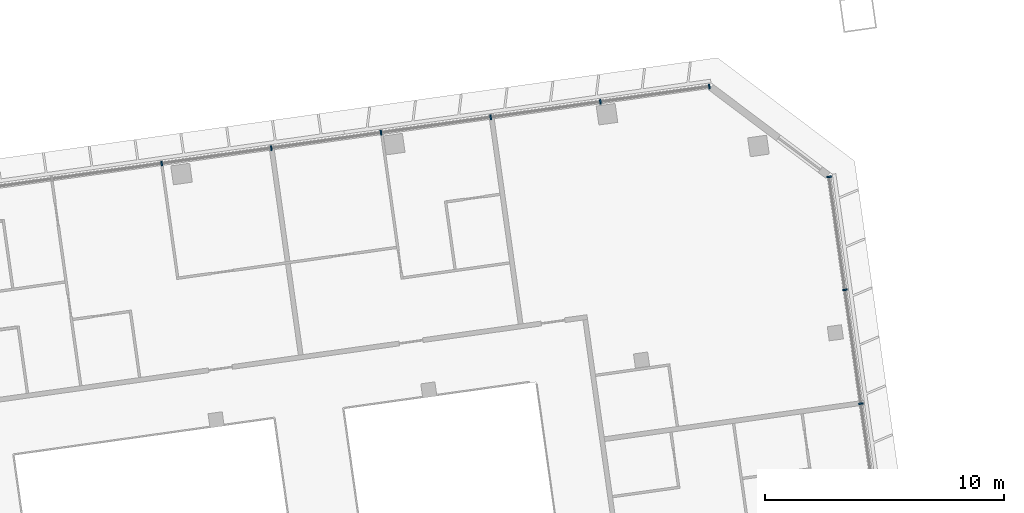
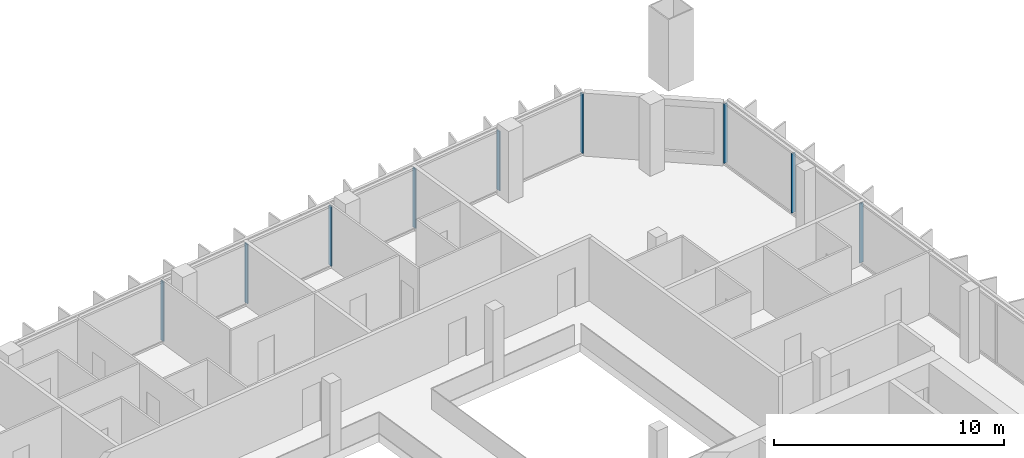
# One storey, part 11 of 23: 9 members, 2 elements without a shape of their own.
"""IFC4 building model written with IfcOpenShell, lengths in metres."""

from ifc_helpers import new_model, si_unit, direction, frame, origin, origin_2d, place, context, subcontext, project, spatial, rectangle, extrude, material, material_profile, profile_set, type_object, element, aggregate, save


model = new_model("IFC4")

# Units and contexts
model_context = context("Model", 3, precision=1e-05, world=origin(), true_north=direction((0.0, 1.0)))
body_context = subcontext(model_context, "Body", "Model", "MODEL_VIEW")
ifc_project = project(units=[si_unit("LENGTHUNIT", "METRE"), si_unit("AREAUNIT", "SQUARE_METRE"), si_unit("VOLUMEUNIT", "CUBIC_METRE"), si_unit("PLANEANGLEUNIT", "RADIAN"), si_unit("MASSUNIT", "GRAM", prefix="KILO")], contexts=[model_context])

# Site, building, storey
site_placement = place(None, origin())
site = spatial("IfcSite", under=ifc_project, at=site_placement, CompositionType="ELEMENT")
building_placement = place(site_placement, origin())
building = spatial("IfcBuilding", under=site, at=building_placement, Name="Mirante Cascada Hotel Towers", CompositionType="ELEMENT")
storey_placement = place(building_placement, frame((0.0, 0.0, 187.8)))
storey = spatial("IfcBuildingStorey", under=building, at=storey_placement, Name="L44", CompositionType="ELEMENT", Elevation=187.8)

# Curtain wall, members
ifc_material_1 = material(Name="Aluminium mullion and transom frame with clear laminated glass", Category="aluminium")
curtain_wall_type_1 = type_object("IfcCurtainWallType", Name="Ribbon curtain wall ECW1", PredefinedType="NOTDEFINED", material=ifc_material_1)
curtain_wall_1_placement = place(storey_placement, origin())
curtain_wall_1 = element("IfcCurtainWall", 1, at=curtain_wall_1_placement, inside=storey, type_object=curtain_wall_type_1, Name="Front ribbon wall T2 L44", PredefinedType="NOTDEFINED")
ifc_material_2 = material(Name="Anodised aluminium extrusion", Category="aluminium")
ifc_material_profile_1 = material_profile(ifc_material_2, rectangle(XDim=0.2, YDim=0.065, at=origin_2d()), Name="ECW1 MULLION 65x200")
ifc_profile_set_1 = profile_set([ifc_material_profile_1], Name="Anodised aluminium extrusion")
member_type_1 = type_object("IfcMemberType", Name="ECW1 mullion 65x200", PredefinedType="MULLION", material=ifc_profile_set_1)
member_1_placement = place(storey_placement, frame((76.3011, 23.5425, 0.1), z_axis=(0.0, 0.0, 1.0), x_axis=(0.1391731, -0.9902681, 0.0)))
member_1 = element("IfcMember", 2, at=member_1_placement, type_object=member_type_1, Name="ECW1 mullion 1", PredefinedType="MULLION", context=body_context, shape_type="SweptSolid", body=[
    extrude(rectangle(XDim=0.2, YDim=0.065, at=origin_2d()), origin(), (0.0, 0.0, 1.0), 3.15),
])
member_2_placement = place(storey_placement, frame((71.7382, 22.9012, 0.1), z_axis=(0.0, 0.0, 1.0), x_axis=(0.1391731, -0.9902681, 0.0)))
member_2 = element("IfcMember", 3, at=member_2_placement, type_object=member_type_1, Name="ECW1 mullion 2", PredefinedType="MULLION", context=body_context, shape_type="SweptSolid", body=[
    extrude(rectangle(XDim=0.2, YDim=0.065, at=origin_2d()), origin(), (0.0, 0.0, 1.0), 3.15),
])
member_3_placement = place(storey_placement, frame((67.143, 22.2554, 0.1), z_axis=(0.0, 0.0, 1.0), x_axis=(0.1391731, -0.9902681, 0.0)))
member_3 = element("IfcMember", 4, at=member_3_placement, type_object=member_type_1, Name="ECW1 mullion 3", PredefinedType="MULLION", context=body_context, shape_type="SweptSolid", body=[
    extrude(rectangle(XDim=0.2, YDim=0.065, at=origin_2d()), origin(), (0.0, 0.0, 1.0), 3.15),
])
member_4_placement = place(storey_placement, frame((62.5479, 21.6096, 0.1), z_axis=(0.0, 0.0, 1.0), x_axis=(0.1391731, -0.9902681, 0.0)))
member_4 = element("IfcMember", 5, at=member_4_placement, type_object=member_type_1, Name="ECW1 mullion 4", PredefinedType="MULLION", context=body_context, shape_type="SweptSolid", body=[
    extrude(rectangle(XDim=0.2, YDim=0.065, at=origin_2d()), origin(), (0.0, 0.0, 1.0), 3.15),
])
member_5_placement = place(storey_placement, frame((57.9527, 20.9637, 0.1), z_axis=(0.0, 0.0, 1.0), x_axis=(0.1391731, -0.9902681, 0.0)))
member_5 = element("IfcMember", 6, at=member_5_placement, type_object=member_type_1, Name="ECW1 mullion 5", PredefinedType="MULLION", context=body_context, shape_type="SweptSolid", body=[
    extrude(rectangle(XDim=0.2, YDim=0.065, at=origin_2d()), origin(), (0.0, 0.0, 1.0), 3.15),
])
member_6_placement = place(storey_placement, frame((53.3576, 20.3179, 0.1), z_axis=(0.0, 0.0, 1.0), x_axis=(0.1391731, -0.9902681, 0.0)))
member_6 = element("IfcMember", 7, at=member_6_placement, type_object=member_type_1, Name="ECW1 mullion 6", PredefinedType="MULLION", context=body_context, shape_type="SweptSolid", body=[
    extrude(rectangle(XDim=0.2, YDim=0.065, at=origin_2d()), origin(), (0.0, 0.0, 1.0), 3.15),
])
aggregate(curtain_wall_1, [member_1, member_2, member_3, member_4, member_5, member_6])

ifc_material_3 = material(Name="Aluminium mullion and transom frame with clear laminated glass", Category="aluminium")
curtain_wall_type_2 = type_object("IfcCurtainWallType", Name="End ribbon curtain wall ECW2", PredefinedType="NOTDEFINED", material=ifc_material_3)
curtain_wall_2_placement = place(storey_placement, origin())
curtain_wall_2 = element("IfcCurtainWall", 8, at=curtain_wall_2_placement, inside=storey, type_object=curtain_wall_type_2, Name="Outer end wall T2 L44", PredefinedType="NOTDEFINED")
ifc_material_4 = material(Name="Anodised aluminium extrusion", Category="aluminium")
ifc_material_profile_2 = material_profile(ifc_material_4, rectangle(XDim=0.2, YDim=0.065, at=origin_2d()), Name="ECW2 MULLION 65x200")
ifc_profile_set_2 = profile_set([ifc_material_profile_2], Name="Anodised aluminium extrusion")
member_type_2 = type_object("IfcMemberType", Name="ECW2 mullion 65x200", PredefinedType="MULLION", material=ifc_profile_set_2)
member_7_placement = place(storey_placement, frame((82.6561, 10.2603, 0.1), z_axis=(0.0, 0.0, 1.0), x_axis=(-0.9902681, -0.1391731, 0.0)))
member_7 = element("IfcMember", 9, at=member_7_placement, type_object=member_type_2, Name="ECW2 mullion 5", PredefinedType="MULLION", context=body_context, shape_type="SweptSolid", body=[
    extrude(rectangle(XDim=0.2, YDim=0.065, at=origin_2d()), origin(), (0.0, 0.0, 1.0), 3.15),
])
member_8_placement = place(storey_placement, frame((81.9864, 15.026, 0.1), z_axis=(0.0, 0.0, 1.0), x_axis=(-0.9902681, -0.1391731, 0.0)))
member_8 = element("IfcMember", 10, at=member_8_placement, type_object=member_type_2, Name="ECW2 mullion 6", PredefinedType="MULLION", context=body_context, shape_type="SweptSolid", body=[
    extrude(rectangle(XDim=0.2, YDim=0.065, at=origin_2d()), origin(), (0.0, 0.0, 1.0), 3.15),
])
member_9_placement = place(storey_placement, frame((81.3211, 19.7596, 0.1), z_axis=(0.0, 0.0, 1.0), x_axis=(-0.9902681, -0.1391731, 0.0)))
member_9 = element("IfcMember", 11, at=member_9_placement, type_object=member_type_2, Name="ECW2 mullion 7", PredefinedType="MULLION", context=body_context, shape_type="SweptSolid", body=[
    extrude(rectangle(XDim=0.2, YDim=0.065, at=origin_2d()), origin(), (0.0, 0.0, 1.0), 3.15),
])
aggregate(curtain_wall_2, [member_7, member_8, member_9])

save(model, "model.ifc")
